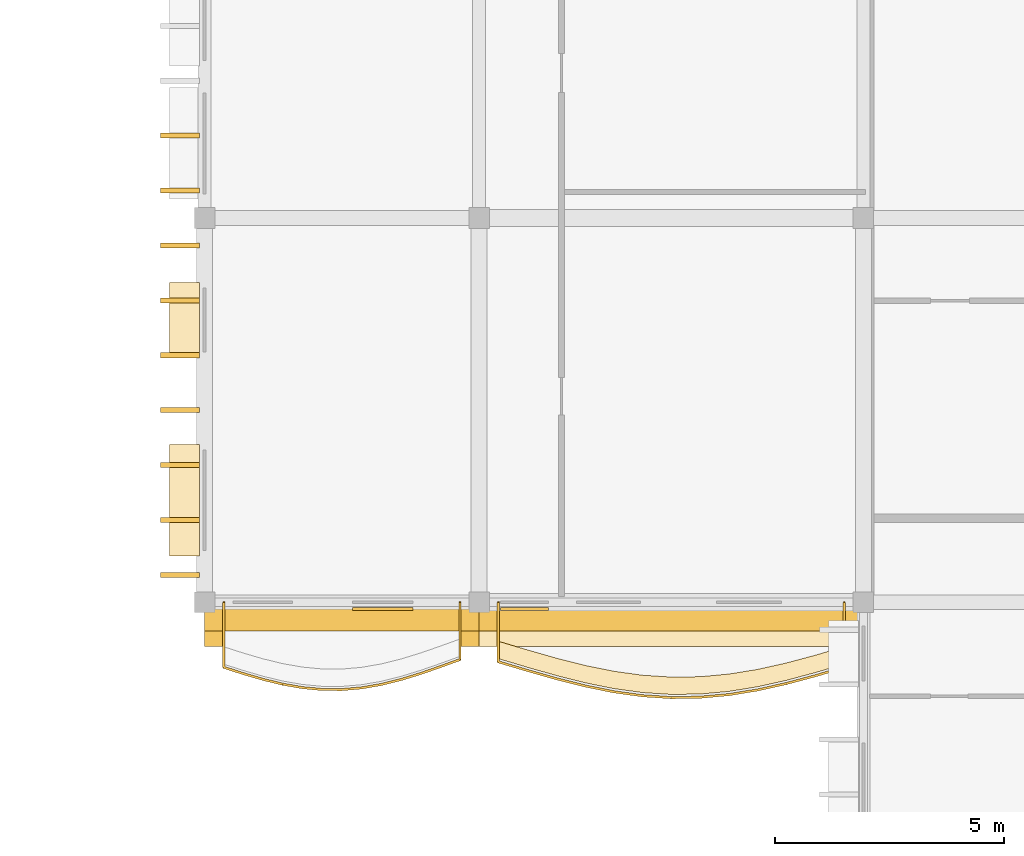
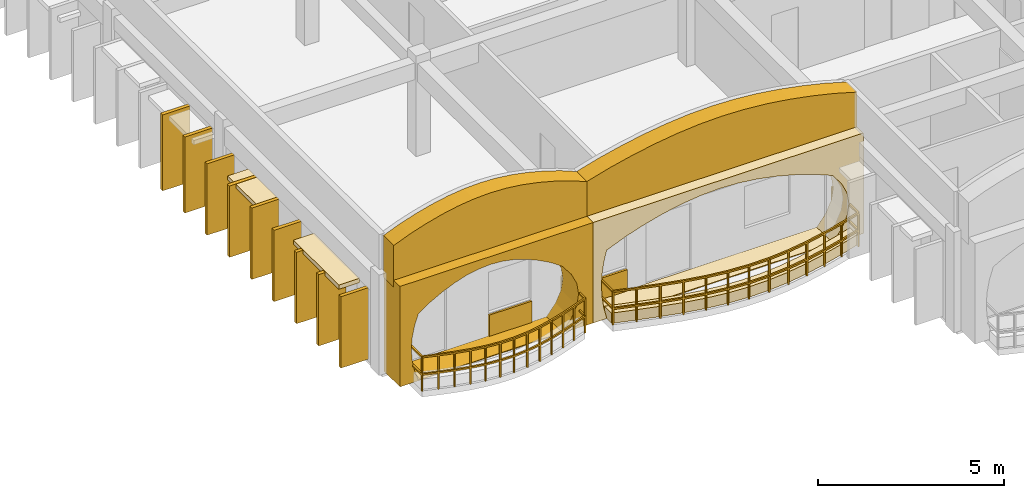
# One storey, part 52 of 59: 18 coverings, 2 railings.
"""IFC4 building model written with IfcOpenShell, lengths in metres."""

from ifc_helpers import new_model, si_unit, direction, frame, origin, origin_2d, place, context, subcontext, project, spatial, polyline, rectangle, outline, extrude, material, layer, layer_set, type_object, element, save


model = new_model("IFC4")

# Units and contexts
model_context = context("Model", 3, precision=1e-05, world=origin(), true_north=direction((0.0, 1.0)))
body_context = subcontext(model_context, "Body", "Model", "MODEL_VIEW")
ifc_project = project(units=[si_unit("LENGTHUNIT", "METRE"), si_unit("AREAUNIT", "SQUARE_METRE"), si_unit("VOLUMEUNIT", "CUBIC_METRE"), si_unit("PLANEANGLEUNIT", "RADIAN"), si_unit("MASSUNIT", "GRAM", prefix="KILO"), si_unit("THERMODYNAMICTEMPERATUREUNIT", "KELVIN")], contexts=[model_context])

# Site, building, storey
site_placement = place(None, origin())
site = spatial("IfcSite", under=ifc_project, at=site_placement, CompositionType="ELEMENT")
building_placement = place(site_placement, origin())
building = spatial("IfcBuilding", under=site, at=building_placement, Name="Thalorik Housing Commons", CompositionType="ELEMENT")
storey_placement = place(building_placement, frame((0.0, 0.0, 27.89990234375)))
storey = spatial("IfcBuildingStorey", under=building, at=storey_placement, Name="L08", CompositionType="ELEMENT", Elevation=27.89990234375)

# Coverings
ifc_material_1 = material(Name="Cobalt blue glazed ceramic facade tile panel", Category="masonry")
ifc_layer_1 = layer(ifc_material_1, 0.06005859375, Name="Cobalt blue glazed ceramic facade tile panel", Category="masonry")
ifc_layer_set_1 = layer_set([ifc_layer_1], Name="Cobalt blue glazed ceramic facade tile panel")
covering_type_1 = type_object("IfcCoveringType", Name="ARC-CLD-BLU-60", PredefinedType="CLADDING", material=ifc_layer_set_1)
covering_1_placement = place(storey_placement, frame((141.889892578125, 43.052490234375, 0.05029296875), z_axis=(0.0, 0.0, 1.0), x_axis=(1.0, 0.0, 0.0)))
element("IfcCovering", 1, at=covering_1_placement, inside=storey, type_object=covering_type_1, Name="L08 De Stijl Recessed Window Spandrel 5095", PredefinedType="CLADDING", context=body_context, shape_type="SweptSolid", body=[
    extrude(rectangle(XDim=1.320068359375, YDim=0.06005859375, at=origin_2d()), origin(), (0.0, 0.0, 1.0), 0.699951171875),
])
ifc_material_2 = material(Name="Precast concrete C40/50", Category="concrete")
ifc_layer_2 = layer(ifc_material_2, 0.85009765625, Name="Precast concrete C40/50", Category="concrete")
ifc_layer_set_2 = layer_set([ifc_layer_2], Name="Precast concrete C40/50")
covering_type_2 = type_object("IfcCoveringType", Name="ARC-CLD-CUSH-850", PredefinedType="CLADDING", material=ifc_layer_set_2)
covering_2_placement = place(storey_placement, frame((141.0, 42.66259765625, 0.0), z_axis=(0.0, 0.0, 1.0), x_axis=(1.0, 0.0, 0.0)))
element("IfcCovering", 2, at=covering_2_placement, inside=storey, type_object=covering_type_2, Name="L08 White Precast Curved Cushion Bay Frame 5094", PredefinedType="CLADDING", context=body_context, shape_type="SweptSolid", body=[
    extrude(outline(polyline([(-3.0, 0.0), (3.0, 0.0), (3.0, 3.300048828125), (-3.0, 3.300048828125), (-3.0, 0.0)]), holes=[polyline([(2.0400390625, 0.02490234375), (2.3232421875, 0.387451171875), (2.493408203125, 0.75), (2.550048828125, 1.112548828125), (2.493408203125, 1.47509765625), (2.3232421875, 1.83740234375), (2.0400390625, 2.199951171875), (1.66748046875, 2.455810546875), (1.294921875, 2.656494140625), (0.922607421875, 2.819091796875), (0.550048828125, 2.940185546875), (0.177490234375, 3.014892578125), (-0.195068359375, 3.0400390625), (-0.5673828125, 3.014892578125), (-0.93994140625, 2.940185546875), (-1.3125, 2.819091796875), (-1.68505859375, 2.656494140625), (-2.0576171875, 2.455810546875), (-2.429931640625, 2.199951171875), (-2.55029296875, 1.83740234375), (-2.62255859375, 1.47509765625), (-2.646484375, 1.112548828125), (-2.62255859375, 0.75), (-2.55029296875, 0.387451171875), (-2.429931640625, 0.02490234375), (2.0400390625, 0.02490234375)])]), frame((0.0, 0.425048828125, 0.0), z_axis=(0.0, -1.0, 0.0), x_axis=(1.0, 0.0, 0.0)), (0.0, 0.0, 1.0), 0.85009765625),
])
covering_3_placement = place(storey_placement, frame((148.199951171875, 42.66259765625, 0.0), z_axis=(0.0, 0.0, 1.0), x_axis=(1.0, 0.0, 0.0)))
element("IfcCovering", 3, at=covering_3_placement, inside=storey, type_object=covering_type_2, Name="L08 White Precast Curved Cushion Bay Frame 5096", PredefinedType="CLADDING", context=body_context, shape_type="SweptSolid", body=[
    extrude(outline(polyline([(-4.199951171875, 0.0), (4.199951171875, 0.0), (4.199951171875, 3.300048828125), (-4.199951171875, 3.300048828125), (-4.199951171875, 0.0)]), holes=[polyline([(3.239990234375, 0.02490234375), (3.523193359375, 0.394287109375), (3.693359375, 0.76318359375), (3.75, 1.132568359375), (3.693359375, 1.501708984375), (3.523193359375, 1.870849609375), (3.239990234375, 2.239990234375), (2.655029296875, 2.4833984375), (2.070068359375, 2.6748046875), (1.485107421875, 2.82958984375), (0.89990234375, 2.94482421875), (0.31494140625, 3.01611328125), (-0.27001953125, 3.0400390625), (-0.85498046875, 3.01611328125), (-1.43994140625, 2.94482421875), (-2.02490234375, 2.82958984375), (-2.610107421875, 2.6748046875), (-3.195068359375, 2.4833984375), (-3.780029296875, 2.239990234375), (-3.86865234375, 1.870849609375), (-3.921875, 1.501708984375), (-3.939697265625, 1.132568359375), (-3.921875, 0.76318359375), (-3.86865234375, 0.394287109375), (-3.780029296875, 0.02490234375), (3.239990234375, 0.02490234375)])]), frame((0.0, 0.425048828125, 0.0), z_axis=(0.0, -1.0, 0.0), x_axis=(1.0, 0.0, 0.0)), (0.0, 0.0, 1.0), 0.85009765625),
])
ifc_layer_3 = layer(ifc_material_2, 0.85009765625, Name="Precast concrete C40/50", Category="concrete")
ifc_layer_set_3 = layer_set([ifc_layer_3], Name="Precast concrete C40/50")
covering_type_3 = type_object("IfcCoveringType", Name="ARC-CLD-FIN-850", PredefinedType="CLADDING", material=ifc_layer_set_3)
for number, where, z_axis, x_axis, name in (
    (4, (137.46240234375, 53.39990234375, 0.0400390625), (0.0, 0.0, 1.0), (0.0, -1.0, 0.0), "L08 Courtyard Precast Vertical Brise-Soleil Fin 5081"),
    (5, (137.46240234375, 52.199951171875, 0.0400390625), (0.0, 0.0, 1.0), (0.0, -1.0, 0.0), "L08 Courtyard Precast Vertical Brise-Soleil Fin 5082"),
):
    element("IfcCovering", number, at=place(storey_placement, frame(where, z_axis=z_axis, x_axis=x_axis)), inside=storey, type_object=covering_type_3, Name=name, PredefinedType="CLADDING", context=body_context, shape_type="SweptSolid", body=[
        extrude(rectangle(XDim=0.110107421875, YDim=0.85009765625, at=origin_2d()), origin(), (0.0, 0.0, 1.0), 2.4951171875),
    ])
for number, where, z_axis, x_axis, name in (
    (6, (137.46240234375, 51.0, 0.0400390625), (0.0, 0.0, 1.0), (0.0, -1.0, 0.0), "L08 Courtyard Precast Vertical Brise-Soleil Fin 5085"),
    (7, (137.46240234375, 49.800048828125, 0.0400390625), (0.0, 0.0, 1.0), (0.0, -1.0, 0.0), "L08 Courtyard Precast Vertical Brise-Soleil Fin 5086"),
    (8, (137.46240234375, 48.60009765625, 0.0400390625), (0.0, 0.0, 1.0), (0.0, -1.0, 0.0), "L08 Courtyard Precast Vertical Brise-Soleil Fin 5087"),
    (9, (137.46240234375, 47.39990234375, 0.0400390625), (0.0, 0.0, 1.0), (0.0, -1.0, 0.0), "L08 Courtyard Precast Vertical Brise-Soleil Fin 5088"),
    (10, (137.46240234375, 46.199951171875, 0.0400390625), (0.0, 0.0, 1.0), (0.0, -1.0, 0.0), "L08 Courtyard Precast Vertical Brise-Soleil Fin 5089"),
    (11, (137.46240234375, 45.0, 0.0400390625), (0.0, 0.0, 1.0), (0.0, -1.0, 0.0), "L08 Courtyard Precast Vertical Brise-Soleil Fin 5090"),
    (12, (137.46240234375, 43.800048828125, 0.0400390625), (0.0, 0.0, 1.0), (0.0, -1.0, 0.0), "L08 Courtyard Precast Vertical Brise-Soleil Fin 5091"),
):
    element("IfcCovering", number, at=place(storey_placement, frame(where, z_axis=z_axis, x_axis=x_axis)), inside=storey, type_object=covering_type_3, Name=name, PredefinedType="CLADDING", context=body_context, shape_type="SweptSolid", body=[
        extrude(rectangle(XDim=0.110107421875, YDim=0.85009765625, at=origin_2d()), origin(), (0.0, 0.0, 1.0), 2.344970703125),
    ])
ifc_layer_4 = layer(ifc_material_2, 0.64990234375, Name="Precast concrete C40/50", Category="concrete")
ifc_layer_set_4 = layer_set([ifc_layer_4], Name="Precast concrete C40/50")
covering_type_4 = type_object("IfcCoveringType", Name="ARC-CLD-HOOD-650", PredefinedType="CLADDING", material=ifc_layer_set_4)
covering_4_placement = place(storey_placement, frame((137.5625, 49.3701171875, 2.240234375), z_axis=(0.0, 0.0, 1.0), x_axis=(0.0, -1.0, 0.0)))
element("IfcCovering", 13, at=covering_4_placement, inside=storey, type_object=covering_type_4, Name="L08 Courtyard Precast Window Sun-Hood 5092", PredefinedType="CLADDING", context=body_context, shape_type="SweptSolid", body=[
    extrude(rectangle(XDim=1.639892578125, YDim=0.64990234375, at=origin_2d()), origin(), (0.0, 0.0, 1.0), 0.139892578125),
])
covering_5_placement = place(storey_placement, frame((137.5625, 45.429931640625, 2.275390625), z_axis=(0.0, 0.0, 1.0), x_axis=(0.0, -1.0, 0.0)))
element("IfcCovering", 14, at=covering_5_placement, inside=storey, type_object=covering_type_4, Name="L08 Courtyard Precast Window Sun-Hood 5093", PredefinedType="CLADDING", context=body_context, shape_type="SweptSolid", body=[
    extrude(rectangle(XDim=2.43994140625, YDim=0.64990234375, at=origin_2d()), origin(), (0.0, 0.0, 1.0), 0.139892578125),
])
ifc_layer_5 = layer(ifc_material_2, 0.550048828125, Name="Precast concrete C40/50", Category="concrete")
ifc_layer_set_5 = layer_set([ifc_layer_5], Name="Precast concrete C40/50")
covering_type_5 = type_object("IfcCoveringType", Name="ARC-CLD-PAR-550", PredefinedType="CLADDING", material=ifc_layer_set_5)
covering_6_placement = place(storey_placement, frame((141.0, 42.85009765625, 3.06005859375), z_axis=(0.0, 0.0, 1.0), x_axis=(1.0, 0.0, 0.0)))
element("IfcCovering", 15, at=covering_6_placement, inside=storey, type_object=covering_type_5, Name="L08 Block D Scalloped White Precast Parapet Crest 5119", PredefinedType="CLADDING", context=body_context, shape_type="SweptSolid", body=[
    extrude(outline(polyline([(-3.0, 0.0), (3.0, 0.0), (3.0, 1.3798828125), (2.5, 1.58154296875), (2.0, 1.744384765625), (1.5, 1.877685546875), (1.0, 1.977294921875), (0.5, 2.0390625), (0.0, 2.06005859375), (-0.5, 2.0390625), (-1.0, 1.977294921875), (-1.5, 1.877685546875), (-2.0, 1.744384765625), (-2.5, 1.58154296875), (-3.0, 1.3798828125), (-3.0, 0.0)])), frame((0.0, 0.27490234375, 0.0), z_axis=(0.0, -1.0, 0.0), x_axis=(1.0, 0.0, 0.0)), (0.0, 0.0, 1.0), 0.550048828125),
])
covering_7_placement = place(storey_placement, frame((148.199951171875, 42.85009765625, 3.06005859375), z_axis=(0.0, 0.0, 1.0), x_axis=(1.0, 0.0, 0.0)))
element("IfcCovering", 16, at=covering_7_placement, inside=storey, type_object=covering_type_5, Name="L08 Block D Scalloped White Precast Parapet Crest 5120", PredefinedType="CLADDING", context=body_context, shape_type="SweptSolid", body=[
    extrude(outline(polyline([(-4.199951171875, 0.0), (4.199951171875, 0.0), (4.199951171875, 1.3798828125), (3.5, 1.58154296875), (2.800048828125, 1.744384765625), (2.10009765625, 1.877685546875), (1.39990234375, 1.977294921875), (0.699951171875, 2.0390625), (0.0, 2.06005859375), (-0.699951171875, 2.0390625), (-1.39990234375, 1.977294921875), (-2.10009765625, 1.877685546875), (-2.800048828125, 1.744384765625), (-3.5, 1.58154296875), (-4.199951171875, 1.3798828125), (-4.199951171875, 0.0)])), frame((0.0, 0.27490234375, 0.0), z_axis=(0.0, -1.0, 0.0), x_axis=(1.0, 0.0, 0.0)), (0.0, 0.0, 1.0), 0.550048828125),
])
ifc_material_3 = material(Name="Mineral ochre architectural terracotta panel", Category="masonry")
ifc_layer_6 = layer(ifc_material_3, 0.06494140625, Name="Mineral ochre architectural terracotta panel", Category="masonry")
ifc_layer_set_6 = layer_set([ifc_layer_6], Name="Mineral ochre architectural terracotta panel")
covering_type_6 = type_object("IfcCoveringType", Name="ARC-CLD-YEL-65", PredefinedType="CLADDING", material=ifc_layer_set_6)
covering_8_placement = place(storey_placement, frame((144.9951171875, 43.050048828125, 0.05029296875), z_axis=(0.0, 0.0, 1.0), x_axis=(1.0, 0.0, 0.0)))
element("IfcCovering", 17, at=covering_8_placement, inside=storey, type_object=covering_type_6, Name="L08 De Stijl Recessed Window Spandrel 5097", PredefinedType="CLADDING", context=body_context, shape_type="SweptSolid", body=[
    extrude(rectangle(XDim=1.050048828125, YDim=0.06494140625, at=origin_2d()), origin(), (0.0, 0.0, 1.0), 0.699951171875),
])
ifc_material_4 = material(Name="Planted vegetated substrate and terracotta trough", Category="masonry")
ifc_layer_7 = layer(ifc_material_4, 0.340087890625, Name="Planted vegetated substrate and terracotta trough", Category="masonry")
ifc_layer_set_7 = layer_set([ifc_layer_7], Name="Planted vegetated substrate and terracotta trough")
covering_type_7 = type_object("IfcCoveringType", Name="ARC-COV-PLANTER", PredefinedType="USERDEFINED", material=ifc_layer_set_7)
covering_9_placement = place(storey_placement, origin())
element("IfcCovering", 18, at=covering_9_placement, inside=storey, type_object=covering_type_7, Name="L08 Balcony Slab-Edge Planted Trough 5702", ObjectType="PLANTER", PredefinedType="USERDEFINED", context=body_context, shape_type="SweptSolid", body=[
    extrude(outline(polyline([(144.419921875, 41.968505859375), (145.050048828125, 41.781005859375), (145.679931640625, 41.601318359375), (146.31005859375, 41.44189453125), (146.93994140625, 41.314208984375), (147.570068359375, 41.226806640625), (148.199951171875, 41.185791015625), (148.830078125, 41.194580078125), (149.4599609375, 41.251953125), (150.090087890625, 41.3544921875), (150.719970703125, 41.4951171875), (151.35009765625, 41.6640625), (151.97998046875, 41.849853515625), (151.97998046875, 42.229736328125), (151.35009765625, 42.044189453125), (150.719970703125, 41.875244140625), (150.090087890625, 41.734619140625), (149.4599609375, 41.632080078125), (148.830078125, 41.574462890625), (148.199951171875, 41.56591796875), (147.570068359375, 41.606689453125), (146.93994140625, 41.694091796875), (146.31005859375, 41.822021484375), (145.679931640625, 41.981201171875), (145.050048828125, 42.160888671875), (144.419921875, 42.348388671875), (144.419921875, 41.968505859375)])), origin(), (0.0, 0.0, 1.0), 0.340087890625),
])

# Railings
ifc_material_5 = material(Name="Steel S355", Category="steel")
railing_type_1 = type_object("IfcRailingType", Name="ARC-RL-BAL-112", PredefinedType="BALUSTRADE", material=ifc_material_5)
railing_1_placement = place(storey_placement, frame((144.419921875, 43.199951171875, 0.0)))
element("IfcRailing", 19, at=railing_1_placement, inside=storey, type_object=railing_type_1, Name="L08 Cushion Balcony Guardrail 386", PredefinedType="BALUSTRADE", context=body_context, shape_type="SweptSolid", body=[
    extrude(rectangle(XDim=0.050048828125, YDim=0.050048828125, at=origin_2d()), frame((0.0, 0.0, 1.09521484375), z_axis=(0.0, -1.0, 0.0), x_axis=(1.0, 0.0, 0.0)), (0.0, 0.0, 1.0), 1.301513671875),
    extrude(rectangle(XDim=0.050048828125, YDim=0.050048828125, at=origin_2d()), frame((0.0, 0.0, 0.53515625), z_axis=(0.0, -1.0, 0.0), x_axis=(1.0, 0.0, 0.0)), (0.0, 0.0, 1.0), 1.301513671875),
    extrude(rectangle(XDim=0.050048828125, YDim=0.050048828125, at=origin_2d()), frame((0.0, -1.301513671875, 1.09521484375), z_axis=(0.958467789843, -0.285200799147, 0.0), x_axis=(0.285200799147, 0.958467789843, 0.0)), (0.0, 0.0, 1.0), 0.657470703125),
    extrude(rectangle(XDim=0.050048828125, YDim=0.050048828125, at=origin_2d()), frame((0.0, -1.301513671875, 0.53515625), z_axis=(0.958467789843, -0.285200799147, 0.0), x_axis=(0.285200799147, 0.958467789843, 0.0)), (0.0, 0.0, 1.0), 0.657470703125),
    extrude(rectangle(XDim=0.050048828125, YDim=0.050048828125, at=origin_2d()), frame((0.630126953125, -1.489013671875, 1.09521484375), z_axis=(0.961636388432, -0.274327279801, 0.0), x_axis=(0.274327279801, 0.961636388432, 0.0)), (0.0, 0.0, 1.0), 0.655029296875),
    extrude(rectangle(XDim=0.050048828125, YDim=0.050048828125, at=origin_2d()), frame((0.630126953125, -1.489013671875, 0.53515625), z_axis=(0.961636388432, -0.274327279801, 0.0), x_axis=(0.274327279801, 0.961636388432, 0.0)), (0.0, 0.0, 1.0), 0.655029296875),
    extrude(rectangle(XDim=0.050048828125, YDim=0.050048828125, at=origin_2d()), frame((1.260009765625, -1.668701171875, 1.09521484375), z_axis=(0.969542950291, -0.244921349705, 0.0), x_axis=(0.244921349705, 0.969542950291, 0.0)), (0.0, 0.0, 1.0), 0.64990234375),
    extrude(rectangle(XDim=0.050048828125, YDim=0.050048828125, at=origin_2d()), frame((1.260009765625, -1.668701171875, 0.53515625), z_axis=(0.969542950291, -0.244921349705, 0.0), x_axis=(0.244921349705, 0.969542950291, 0.0)), (0.0, 0.0, 1.0), 0.64990234375),
    extrude(rectangle(XDim=0.050048828125, YDim=0.050048828125, at=origin_2d()), frame((1.89013671875, -1.827880859375, 1.09521484375), z_axis=(0.979991950448, -0.19903712482, 0.0), x_axis=(0.19903712482, 0.979991950448, 0.0)), (0.0, 0.0, 1.0), 0.642822265625),
    extrude(rectangle(XDim=0.050048828125, YDim=0.050048828125, at=origin_2d()), frame((1.89013671875, -1.827880859375, 0.53515625), z_axis=(0.979991950448, -0.19903712482, 0.0), x_axis=(0.19903712482, 0.979991950448, 0.0)), (0.0, 0.0, 1.0), 0.642822265625),
    extrude(rectangle(XDim=0.050048828125, YDim=0.050048828125, at=origin_2d()), frame((2.52001953125, -1.955810546875, 1.09521484375), z_axis=(0.990516951139, -0.137390572843, 0.0), x_axis=(0.137390572843, 0.990516951139, 0.0)), (0.0, 0.0, 1.0), 0.63623046875),
    extrude(rectangle(XDim=0.050048828125, YDim=0.050048828125, at=origin_2d()), frame((2.52001953125, -1.955810546875, 0.53515625), z_axis=(0.990516951139, -0.137390572843, 0.0), x_axis=(0.137390572843, 0.990516951139, 0.0)), (0.0, 0.0, 1.0), 0.63623046875),
    extrude(rectangle(XDim=0.050048828125, YDim=0.050048828125, at=origin_2d()), frame((3.150146484375, -2.043212890625, 1.09521484375), z_axis=(0.997911658868, -0.064593506601, 0.0), x_axis=(0.064593506601, 0.997911658868, 0.0)), (0.0, 0.0, 1.0), 0.631103515625),
    extrude(rectangle(XDim=0.050048828125, YDim=0.050048828125, at=origin_2d()), frame((3.150146484375, -2.043212890625, 0.53515625), z_axis=(0.997911658868, -0.064593506601, 0.0), x_axis=(0.064593506601, 0.997911658868, 0.0)), (0.0, 0.0, 1.0), 0.631103515625),
    extrude(rectangle(XDim=0.050048828125, YDim=0.050048828125, at=origin_2d()), frame((3.780029296875, -2.083984375, 1.09521484375), z_axis=(0.999908067263, 0.013559388746, 0.0), x_axis=(-0.013559388746, 0.999908067263, 0.0)), (0.0, 0.0, 1.0), 0.630126953125),
    extrude(rectangle(XDim=0.050048828125, YDim=0.050048828125, at=origin_2d()), frame((3.780029296875, -2.083984375, 0.53515625), z_axis=(0.999908067263, 0.013559388746, 0.0), x_axis=(-0.013559388746, 0.999908067263, 0.0)), (0.0, 0.0, 1.0), 0.630126953125),
    extrude(rectangle(XDim=0.050048828125, YDim=0.050048828125, at=origin_2d()), frame((4.41015625, -2.075439453125, 1.09521484375), z_axis=(0.995877371634, 0.090709760595, 0.0), x_axis=(-0.090709760595, 0.995877371634, 0.0)), (0.0, 0.0, 1.0), 0.632568359375),
    extrude(rectangle(XDim=0.050048828125, YDim=0.050048828125, at=origin_2d()), frame((4.41015625, -2.075439453125, 0.53515625), z_axis=(0.995877371634, 0.090709760595, 0.0), x_axis=(-0.090709760595, 0.995877371634, 0.0)), (0.0, 0.0, 1.0), 0.632568359375),
    extrude(rectangle(XDim=0.050048828125, YDim=0.050048828125, at=origin_2d()), frame((5.0400390625, -2.01806640625, 1.09521484375), z_axis=(0.98695644982, 0.160987472055, 0.0), x_axis=(-0.160987472055, 0.98695644982, 0.0)), (0.0, 0.0, 1.0), 0.638427734375),
    extrude(rectangle(XDim=0.050048828125, YDim=0.050048828125, at=origin_2d()), frame((5.0400390625, -2.01806640625, 0.53515625), z_axis=(0.98695644982, 0.160987472055, 0.0), x_axis=(-0.160987472055, 0.98695644982, 0.0)), (0.0, 0.0, 1.0), 0.638427734375),
    extrude(rectangle(XDim=0.050048828125, YDim=0.050048828125, at=origin_2d()), frame((5.670166015625, -1.915283203125, 1.09521484375), z_axis=(0.975972967623, 0.217891639283, 0.0), x_axis=(-0.217891639283, 0.975972967623, 0.0)), (0.0, 0.0, 1.0), 0.6455078125),
    extrude(rectangle(XDim=0.050048828125, YDim=0.050048828125, at=origin_2d()), frame((5.670166015625, -1.915283203125, 0.53515625), z_axis=(0.975972967623, 0.217891639283, 0.0), x_axis=(-0.217891639283, 0.975972967623, 0.0)), (0.0, 0.0, 1.0), 0.6455078125),
    extrude(rectangle(XDim=0.050048828125, YDim=0.050048828125, at=origin_2d()), frame((6.300048828125, -1.774658203125, 1.09521484375), z_axis=(0.965979780543, 0.258617601068, 0.0), x_axis=(-0.258617601068, 0.965979780543, 0.0)), (0.0, 0.0, 1.0), 0.65234375),
    extrude(rectangle(XDim=0.050048828125, YDim=0.050048828125, at=origin_2d()), frame((6.300048828125, -1.774658203125, 0.53515625), z_axis=(0.965979780543, 0.258617601068, 0.0), x_axis=(-0.258617601068, 0.965979780543, 0.0)), (0.0, 0.0, 1.0), 0.65234375),
    extrude(rectangle(XDim=0.050048828125, YDim=0.050048828125, at=origin_2d()), frame((6.93017578125, -1.60595703125, 1.09521484375), z_axis=(0.959146180729, 0.282910947107, 0.0), x_axis=(-0.282910947107, 0.959146180729, 0.0)), (0.0, 0.0, 1.0), 0.65673828125),
    extrude(rectangle(XDim=0.050048828125, YDim=0.050048828125, at=origin_2d()), frame((6.93017578125, -1.60595703125, 0.53515625), z_axis=(0.959146180729, 0.282910947107, 0.0), x_axis=(-0.282910947107, 0.959146180729, 0.0)), (0.0, 0.0, 1.0), 0.65673828125),
    extrude(rectangle(XDim=0.050048828125, YDim=0.050048828125, at=origin_2d()), frame((7.56005859375, -1.420166015625, 1.09521484375), z_axis=(0.0, 1.0, 0.0), x_axis=(-1.0, 0.0, 0.0)), (0.0, 0.0, 1.0), 1.420166015625),
    extrude(rectangle(XDim=0.050048828125, YDim=0.050048828125, at=origin_2d()), frame((7.56005859375, -1.420166015625, 0.53515625), z_axis=(0.0, 1.0, 0.0), x_axis=(-1.0, 0.0, 0.0)), (0.0, 0.0, 1.0), 1.420166015625),
    extrude(rectangle(XDim=0.0419921875, YDim=0.0419921875, at=origin_2d()), origin(), (0.0, 0.0, 1.0), 1.070068359375),
    extrude(rectangle(XDim=0.0419921875, YDim=0.0419921875, at=origin_2d()), frame((0.0, -1.301513671875, 0.0)), (0.0, 0.0, 1.0), 1.070068359375),
    extrude(rectangle(XDim=0.0419921875, YDim=0.0419921875, at=origin_2d()), frame((0.630126953125, -1.489013671875, 0.0)), (0.0, 0.0, 1.0), 1.070068359375),
    extrude(rectangle(XDim=0.0419921875, YDim=0.0419921875, at=origin_2d()), frame((1.260009765625, -1.668701171875, 0.0)), (0.0, 0.0, 1.0), 1.070068359375),
    extrude(rectangle(XDim=0.0419921875, YDim=0.0419921875, at=origin_2d()), frame((1.89013671875, -1.827880859375, 0.0)), (0.0, 0.0, 1.0), 1.070068359375),
    extrude(rectangle(XDim=0.0419921875, YDim=0.0419921875, at=origin_2d()), frame((2.52001953125, -1.955810546875, 0.0)), (0.0, 0.0, 1.0), 1.070068359375),
    extrude(rectangle(XDim=0.0419921875, YDim=0.0419921875, at=origin_2d()), frame((3.150146484375, -2.043212890625, 0.0)), (0.0, 0.0, 1.0), 1.070068359375),
    extrude(rectangle(XDim=0.0419921875, YDim=0.0419921875, at=origin_2d()), frame((3.780029296875, -2.083984375, 0.0)), (0.0, 0.0, 1.0), 1.070068359375),
    extrude(rectangle(XDim=0.0419921875, YDim=0.0419921875, at=origin_2d()), frame((4.41015625, -2.075439453125, 0.0)), (0.0, 0.0, 1.0), 1.070068359375),
    extrude(rectangle(XDim=0.0419921875, YDim=0.0419921875, at=origin_2d()), frame((5.0400390625, -2.01806640625, 0.0)), (0.0, 0.0, 1.0), 1.070068359375),
    extrude(rectangle(XDim=0.0419921875, YDim=0.0419921875, at=origin_2d()), frame((5.670166015625, -1.915283203125, 0.0)), (0.0, 0.0, 1.0), 1.070068359375),
    extrude(rectangle(XDim=0.0419921875, YDim=0.0419921875, at=origin_2d()), frame((6.300048828125, -1.774658203125, 0.0)), (0.0, 0.0, 1.0), 1.070068359375),
    extrude(rectangle(XDim=0.0419921875, YDim=0.0419921875, at=origin_2d()), frame((6.93017578125, -1.60595703125, 0.0)), (0.0, 0.0, 1.0), 1.070068359375),
    extrude(rectangle(XDim=0.0419921875, YDim=0.0419921875, at=origin_2d()), frame((7.56005859375, -1.420166015625, 0.0)), (0.0, 0.0, 1.0), 1.070068359375),
    extrude(rectangle(XDim=0.0419921875, YDim=0.0419921875, at=origin_2d()), frame((7.56005859375, 0.0, 0.0)), (0.0, 0.0, 1.0), 1.070068359375),
])
railing_type_2 = type_object("IfcRailingType", Name="ARC-RL-BAL-115", PredefinedType="BALUSTRADE", material=ifc_material_5)
railing_2_placement = place(storey_placement, frame((138.419921875, 43.199951171875, 0.0)))
element("IfcRailing", 20, at=railing_2_placement, inside=storey, type_object=railing_type_2, Name="L08 Cushion Balcony Guardrail 385", PredefinedType="BALUSTRADE", context=body_context, shape_type="SweptSolid", body=[
    extrude(rectangle(XDim=0.050048828125, YDim=0.050048828125, at=origin_2d()), frame((0.0, 0.0, 1.125), z_axis=(0.0, -1.0, 0.0), x_axis=(1.0, 0.0, 0.0)), (0.0, 0.0, 1.0), 1.4228515625),
    extrude(rectangle(XDim=0.050048828125, YDim=0.050048828125, at=origin_2d()), frame((0.0, 0.0, 0.5498046875), z_axis=(0.0, -1.0, 0.0), x_axis=(1.0, 0.0, 0.0)), (0.0, 0.0, 1.0), 1.4228515625),
    extrude(rectangle(XDim=0.050048828125, YDim=0.050048828125, at=origin_2d()), frame((0.0, -1.4228515625, 1.125), z_axis=(0.952399039918, -0.304854176228, 0.0), x_axis=(0.304854176228, 0.952399039918, 0.0)), (0.0, 0.0, 1.0), 0.45166015625),
    extrude(rectangle(XDim=0.050048828125, YDim=0.050048828125, at=origin_2d()), frame((0.0, -1.4228515625, 0.5498046875), z_axis=(0.952399039918, -0.304854176228, 0.0), x_axis=(0.304854176228, 0.952399039918, 0.0)), (0.0, 0.0, 1.0), 0.45166015625),
    extrude(rectangle(XDim=0.050048828125, YDim=0.050048828125, at=origin_2d()), frame((0.43017578125, -1.560546875, 1.125), z_axis=(0.959798308367, -0.280690589897, 0.0), x_axis=(0.280690589897, 0.959798308367, 0.0)), (0.0, 0.0, 1.0), 0.447998046875),
    extrude(rectangle(XDim=0.050048828125, YDim=0.050048828125, at=origin_2d()), frame((0.43017578125, -1.560546875, 0.5498046875), z_axis=(0.959798308367, -0.280690589897, 0.0), x_axis=(0.280690589897, 0.959798308367, 0.0)), (0.0, 0.0, 1.0), 0.447998046875),
    extrude(rectangle(XDim=0.050048828125, YDim=0.050048828125, at=origin_2d()), frame((0.860107421875, -1.686279296875, 1.125), z_axis=(0.97171211012, -0.236168531023, 0.0), x_axis=(0.236168531023, 0.97171211012, 0.0)), (0.0, 0.0, 1.0), 0.4423828125),
    extrude(rectangle(XDim=0.050048828125, YDim=0.050048828125, at=origin_2d()), frame((0.860107421875, -1.686279296875, 0.5498046875), z_axis=(0.97171211012, -0.236168531023, 0.0), x_axis=(0.236168531023, 0.97171211012, 0.0)), (0.0, 0.0, 1.0), 0.4423828125),
    extrude(rectangle(XDim=0.050048828125, YDim=0.050048828125, at=origin_2d()), frame((1.2900390625, -1.790771484375, 1.125), z_axis=(0.984952013954, -0.17282803652, 0.0), x_axis=(0.17282803652, 0.984952013954, 0.0)), (0.0, 0.0, 1.0), 0.4365234375),
    extrude(rectangle(XDim=0.050048828125, YDim=0.050048828125, at=origin_2d()), frame((1.2900390625, -1.790771484375, 0.5498046875), z_axis=(0.984952013954, -0.17282803652, 0.0), x_axis=(0.17282803652, 0.984952013954, 0.0)), (0.0, 0.0, 1.0), 0.4365234375),
    extrude(rectangle(XDim=0.050048828125, YDim=0.050048828125, at=origin_2d()), frame((1.719970703125, -1.8662109375, 1.125), z_axis=(0.995644066759, -0.09323568162, 0.0), x_axis=(0.09323568162, 0.995644066759, 0.0)), (0.0, 0.0, 1.0), 0.43212890625),
    extrude(rectangle(XDim=0.050048828125, YDim=0.050048828125, at=origin_2d()), frame((1.719970703125, -1.8662109375, 0.5498046875), z_axis=(0.995644066759, -0.09323568162, 0.0), x_axis=(0.09323568162, 0.995644066759, 0.0)), (0.0, 0.0, 1.0), 0.43212890625),
    extrude(rectangle(XDim=0.050048828125, YDim=0.050048828125, at=origin_2d()), frame((2.150146484375, -1.906494140625, 1.125), z_axis=(0.99998968131, -0.004542826491, 0.0), x_axis=(0.004542826491, 0.99998968131, 0.0)), (0.0, 0.0, 1.0), 0.429931640625),
    extrude(rectangle(XDim=0.050048828125, YDim=0.050048828125, at=origin_2d()), frame((2.150146484375, -1.906494140625, 0.5498046875), z_axis=(0.99998968131, -0.004542826491, 0.0), x_axis=(0.004542826491, 0.99998968131, 0.0)), (0.0, 0.0, 1.0), 0.429931640625),
    extrude(rectangle(XDim=0.050048828125, YDim=0.050048828125, at=origin_2d()), frame((2.580078125, -1.908447265625, 1.125), z_axis=(0.996295581648, 0.085994848615, 0.0), x_axis=(-0.085994848615, 0.996295581648, 0.0)), (0.0, 0.0, 1.0), 0.431640625),
    extrude(rectangle(XDim=0.050048828125, YDim=0.050048828125, at=origin_2d()), frame((2.580078125, -1.908447265625, 0.5498046875), z_axis=(0.996295581648, 0.085994848615, 0.0), x_axis=(-0.085994848615, 0.996295581648, 0.0)), (0.0, 0.0, 1.0), 0.431640625),
    extrude(rectangle(XDim=0.050048828125, YDim=0.050048828125, at=origin_2d()), frame((3.010009765625, -1.871337890625, 1.125), z_axis=(0.985346891281, 0.170562316595, 0.0), x_axis=(-0.170562316595, 0.985346891281, 0.0)), (0.0, 0.0, 1.0), 0.4365234375),
    extrude(rectangle(XDim=0.050048828125, YDim=0.050048828125, at=origin_2d()), frame((3.010009765625, -1.871337890625, 0.5498046875), z_axis=(0.985346891281, 0.170562316595, 0.0), x_axis=(-0.170562316595, 0.985346891281, 0.0)), (0.0, 0.0, 1.0), 0.4365234375),
    extrude(rectangle(XDim=0.050048828125, YDim=0.050048828125, at=origin_2d()), frame((3.440185546875, -1.796875, 1.125), z_axis=(0.970433541001, 0.241368478682, 0.0), x_axis=(-0.241368478682, 0.970433541001, 0.0)), (0.0, 0.0, 1.0), 0.443115234375),
    extrude(rectangle(XDim=0.050048828125, YDim=0.050048828125, at=origin_2d()), frame((3.440185546875, -1.796875, 0.5498046875), z_axis=(0.970433541001, 0.241368478682, 0.0), x_axis=(-0.241368478682, 0.970433541001, 0.0)), (0.0, 0.0, 1.0), 0.443115234375),
    extrude(rectangle(XDim=0.050048828125, YDim=0.050048828125, at=origin_2d()), frame((3.8701171875, -1.68994140625, 1.125), z_axis=(0.955755536076, 0.294162124108, 0.0), x_axis=(-0.294162124108, 0.955755536076, 0.0)), (0.0, 0.0, 1.0), 0.449951171875),
    extrude(rectangle(XDim=0.050048828125, YDim=0.050048828125, at=origin_2d()), frame((3.8701171875, -1.68994140625, 0.5498046875), z_axis=(0.955755536076, 0.294162124108, 0.0), x_axis=(-0.294162124108, 0.955755536076, 0.0)), (0.0, 0.0, 1.0), 0.449951171875),
    extrude(rectangle(XDim=0.050048828125, YDim=0.050048828125, at=origin_2d()), frame((4.300048828125, -1.5576171875, 1.125), z_axis=(0.944749830866, 0.327792246825, 0.0), x_axis=(-0.327792246825, 0.944749830866, 0.0)), (0.0, 0.0, 1.0), 0.455078125),
    extrude(rectangle(XDim=0.050048828125, YDim=0.050048828125, at=origin_2d()), frame((4.300048828125, -1.5576171875, 0.5498046875), z_axis=(0.944749830866, 0.327792246825, 0.0), x_axis=(-0.327792246825, 0.944749830866, 0.0)), (0.0, 0.0, 1.0), 0.455078125),
    extrude(rectangle(XDim=0.050048828125, YDim=0.050048828125, at=origin_2d()), frame((4.72998046875, -1.408447265625, 1.125), z_axis=(0.940089046763, 0.340929001635, 0.0), x_axis=(-0.340929001635, 0.940089046763, 0.0)), (0.0, 0.0, 1.0), 0.45751953125),
    extrude(rectangle(XDim=0.050048828125, YDim=0.050048828125, at=origin_2d()), frame((4.72998046875, -1.408447265625, 0.5498046875), z_axis=(0.940089046763, 0.340929001635, 0.0), x_axis=(-0.340929001635, 0.940089046763, 0.0)), (0.0, 0.0, 1.0), 0.45751953125),
    extrude(rectangle(XDim=0.050048828125, YDim=0.050048828125, at=origin_2d()), frame((5.16015625, -1.25244140625, 1.125), z_axis=(0.0, 1.0, 0.0), x_axis=(-1.0, 0.0, 0.0)), (0.0, 0.0, 1.0), 1.25244140625),
    extrude(rectangle(XDim=0.050048828125, YDim=0.050048828125, at=origin_2d()), frame((5.16015625, -1.25244140625, 0.5498046875), z_axis=(0.0, 1.0, 0.0), x_axis=(-1.0, 0.0, 0.0)), (0.0, 0.0, 1.0), 1.25244140625),
    extrude(rectangle(XDim=0.0419921875, YDim=0.0419921875, at=origin_2d()), origin(), (0.0, 0.0, 1.0), 1.099853515625),
    extrude(rectangle(XDim=0.0419921875, YDim=0.0419921875, at=origin_2d()), frame((0.0, -1.4228515625, 0.0)), (0.0, 0.0, 1.0), 1.099853515625),
    extrude(rectangle(XDim=0.0419921875, YDim=0.0419921875, at=origin_2d()), frame((0.43017578125, -1.560546875, 0.0)), (0.0, 0.0, 1.0), 1.099853515625),
    extrude(rectangle(XDim=0.0419921875, YDim=0.0419921875, at=origin_2d()), frame((0.860107421875, -1.686279296875, 0.0)), (0.0, 0.0, 1.0), 1.099853515625),
    extrude(rectangle(XDim=0.0419921875, YDim=0.0419921875, at=origin_2d()), frame((1.2900390625, -1.790771484375, 0.0)), (0.0, 0.0, 1.0), 1.099853515625),
    extrude(rectangle(XDim=0.0419921875, YDim=0.0419921875, at=origin_2d()), frame((1.719970703125, -1.8662109375, 0.0)), (0.0, 0.0, 1.0), 1.099853515625),
    extrude(rectangle(XDim=0.0419921875, YDim=0.0419921875, at=origin_2d()), frame((2.150146484375, -1.906494140625, 0.0)), (0.0, 0.0, 1.0), 1.099853515625),
    extrude(rectangle(XDim=0.0419921875, YDim=0.0419921875, at=origin_2d()), frame((2.580078125, -1.908447265625, 0.0)), (0.0, 0.0, 1.0), 1.099853515625),
    extrude(rectangle(XDim=0.0419921875, YDim=0.0419921875, at=origin_2d()), frame((3.010009765625, -1.871337890625, 0.0)), (0.0, 0.0, 1.0), 1.099853515625),
    extrude(rectangle(XDim=0.0419921875, YDim=0.0419921875, at=origin_2d()), frame((3.440185546875, -1.796875, 0.0)), (0.0, 0.0, 1.0), 1.099853515625),
    extrude(rectangle(XDim=0.0419921875, YDim=0.0419921875, at=origin_2d()), frame((3.8701171875, -1.68994140625, 0.0)), (0.0, 0.0, 1.0), 1.099853515625),
    extrude(rectangle(XDim=0.0419921875, YDim=0.0419921875, at=origin_2d()), frame((4.300048828125, -1.5576171875, 0.0)), (0.0, 0.0, 1.0), 1.099853515625),
    extrude(rectangle(XDim=0.0419921875, YDim=0.0419921875, at=origin_2d()), frame((4.72998046875, -1.408447265625, 0.0)), (0.0, 0.0, 1.0), 1.099853515625),
    extrude(rectangle(XDim=0.0419921875, YDim=0.0419921875, at=origin_2d()), frame((5.16015625, -1.25244140625, 0.0)), (0.0, 0.0, 1.0), 1.099853515625),
    extrude(rectangle(XDim=0.0419921875, YDim=0.0419921875, at=origin_2d()), frame((5.16015625, 0.0, 0.0)), (0.0, 0.0, 1.0), 1.099853515625),
])

save(model, "model.ifc")
